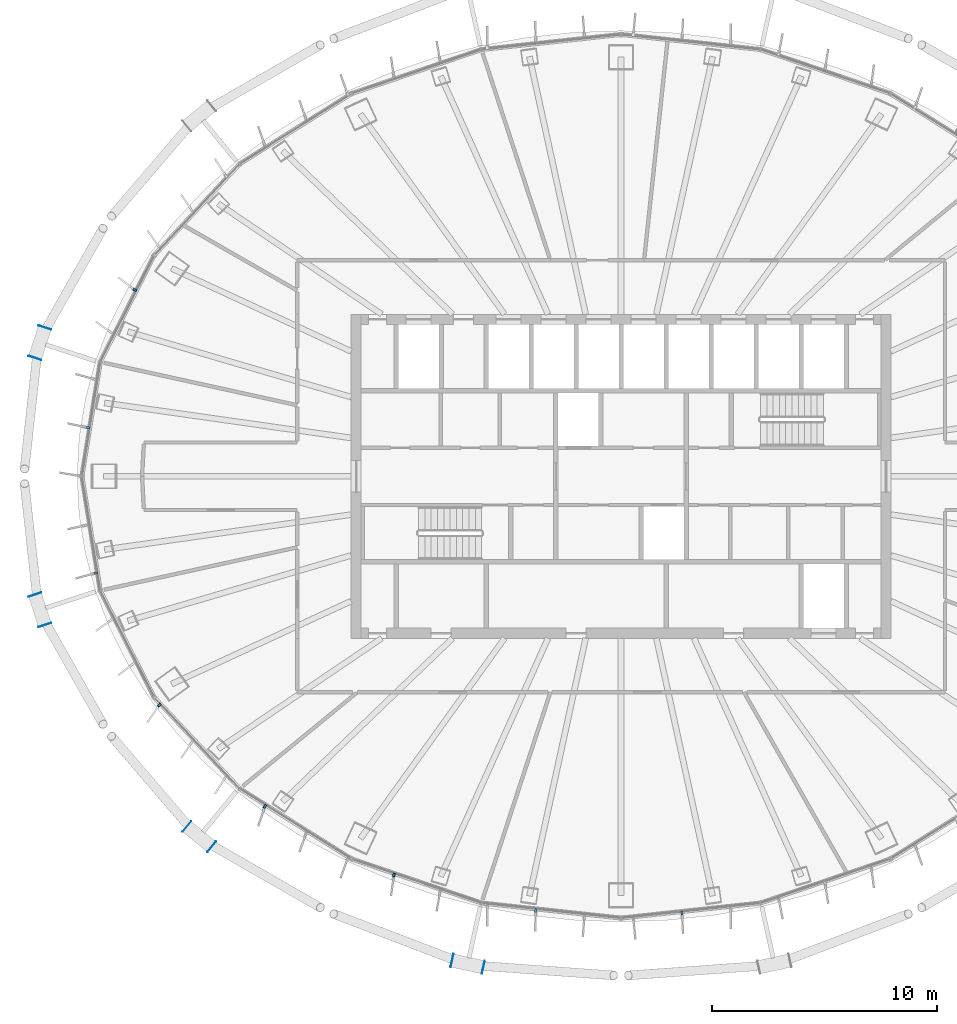
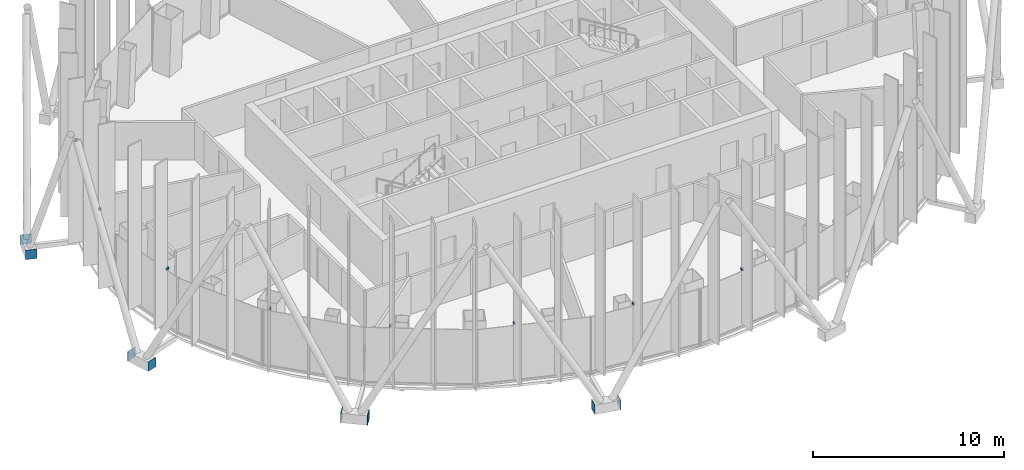
# One storey, part 12 of 18: 16 discrete accessories.
"""IFC4 building model written with IfcOpenShell, lengths in metres."""

from ifc_helpers import new_model, si_unit, direction, frame, origin, origin_2d, place, context, subcontext, project, spatial, rectangle, extrude, material, layer, layer_set, type_object, element, save


model = new_model("IFC4")

# Units and contexts
model_context = context("Model", 3, precision=1e-05, world=origin(), true_north=direction((0.0, 1.0)))
body_context = subcontext(model_context, "Body", "Model", "MODEL_VIEW")
ifc_project = project(units=[si_unit("LENGTHUNIT", "METRE"), si_unit("AREAUNIT", "SQUARE_METRE"), si_unit("VOLUMEUNIT", "CUBIC_METRE"), si_unit("PLANEANGLEUNIT", "RADIAN"), si_unit("MASSUNIT", "GRAM", prefix="KILO")], contexts=[model_context])

# Site, building, storey
site_placement = place(None, origin())
site = spatial("IfcSite", under=ifc_project, at=site_placement, CompositionType="ELEMENT")
building_placement = place(site_placement, origin())
building = spatial("IfcBuilding", under=site, at=building_placement, Name="Siaravel Broadcast Tower", CompositionType="ELEMENT")
storey_placement = place(building_placement, frame((0.0, 0.0, 157.10009765625)))
storey = spatial("IfcBuildingStorey", under=building, at=storey_placement, Name="L37", CompositionType="ELEMENT", Elevation=157.10009765625)

# Discrete accessories
ifc_material_1 = material(Name="Stainless steel 316", Category="steel")
discrete_accessory_type_1 = type_object("IfcDiscreteAccessoryType", Name="Stainless steel fin bracket", PredefinedType="USERDEFINED", material=ifc_material_1)
for number, where, z_axis, x_axis, name in (
    (1, (-21.609130859375, 8.2783203125, 3.68017578125), (0.0, 0.0, 1.0), (-0.892392939, 0.451259174, 0.0), "Fin bracket L37-28"),
    (2, (-23.68701171875, 2.156982421875, 3.68017578125), (0.0, 0.0, 1.0), (-0.987329198, 0.158685394, 0.0), "Fin bracket L37-31"),
    (3, (-23.34228515625, -4.302734375, 3.68017578125), (0.0, 0.0, 1.0), (-0.987329198, -0.158685394, 0.0), "Fin bracket L37-34"),
    (4, (-20.522216796875, -10.16796875, 3.68017578125), (0.0, 0.0, 1.0), (-0.729805608, -0.683654718, 0.0), "Fin bracket L37-37"),
    (5, (-15.830078125, -14.669677734375, 3.68017578125), (0.0, 0.0, 1.0), (-0.53215093, -0.846649507, 0.0), "Fin bracket L37-40"),
    (6, (-10.093017578125, -17.7216796875, 3.68017578125), (0.0, 0.0, 1.0), (-0.321300635, -0.946977245, 0.0), "Fin bracket L37-43"),
    (7, (-3.788818359375, -19.299072265625, 3.68017578125), (0.0, 0.0, 1.0), (-0.107218518, -0.99423548, 0.0), "Fin bracket L37-46"),
    (8, (2.70849609375, -19.41552734375, 3.68017578125), (0.0, 0.0, 1.0), (0.107218518, -0.99423548, 0.0), "Fin bracket L37-49"),
):
    element("IfcDiscreteAccessory", number, at=place(storey_placement, frame(where, z_axis=z_axis, x_axis=x_axis)), inside=storey, type_object=discrete_accessory_type_1, Name=name, ObjectType="BRACKET", PredefinedType="USERDEFINED", context=body_context, shape_type="SweptSolid", body=[
        extrude(rectangle(XDim=0.159912109375, YDim=0.10009765625, at=origin_2d()), origin(), (0.0, 0.0, 1.0), 0.139892578125),
    ])
ifc_material_2 = material(Name="Steel S355", Category="steel")
ifc_layer = layer(ifc_material_2, 0.02001953125)
ifc_layer_set = layer_set([ifc_layer], Name="Steel S355")
discrete_accessory_type_2 = type_object("IfcDiscreteAccessoryType", Name="Steel end plate 20 mm", PredefinedType="USERDEFINED", material=ifc_layer_set)
for number, where, z_axis, x_axis, name in (
    (9, (-26.050537109375, 5.260498046875, -0.500244140625), (0.0, 0.0, 1.0), (-0.310910334, -0.950439248, 0.0), "End plate R16 station 33A"),
    (10, (-25.609130859375, 6.60986328125, -0.500244140625), (0.0, 0.0, 1.0), (-0.310910334, -0.950439248, 0.0), "End plate R16 station 33B"),
    (11, (-25.609130859375, -6.60986328125, -0.500244140625), (0.0, 0.0, 1.0), (0.310910334, -0.950439248, 0.0), "End plate R16 station 39A"),
    (12, (-26.050537109375, -5.260498046875, -0.500244140625), (0.0, 0.0, 1.0), (0.310910334, -0.950439248, 0.0), "End plate R16 station 39B"),
    (13, (-18.1982421875, -16.4677734375, -0.500244140625), (0.0, 0.0, 1.0), (0.773604694, -0.633668508, 0.0), "End plate R16 station 45A"),
    (14, (-19.29638671875, -15.568115234375, -0.500244140625), (0.0, 0.0, 1.0), (0.773604694, -0.633668508, 0.0), "End plate R16 station 45B"),
    (15, (-6.123046875, -21.8251953125, -0.500244140625), (0.0, 0.0, 1.0), (0.976750917, -0.214377344, 0.0), "End plate R16 station 51A"),
    (16, (-7.509765625, -21.520751953125, -0.500244140625), (0.0, 0.0, 1.0), (0.976750917, -0.214377344, 0.0), "End plate R16 station 51B"),
):
    element("IfcDiscreteAccessory", number, at=place(storey_placement, frame(where, z_axis=z_axis, x_axis=x_axis)), inside=storey, type_object=discrete_accessory_type_2, Name=name, ObjectType="END PLATE", PredefinedType="USERDEFINED", context=body_context, shape_type="SweptSolid", body=[
        extrude(rectangle(XDim=0.02001953125, YDim=0.60009765625, at=origin_2d()), origin(), (0.0, 0.0, 1.0), 0.60009765625),
    ])

save(model, "model.ifc")
